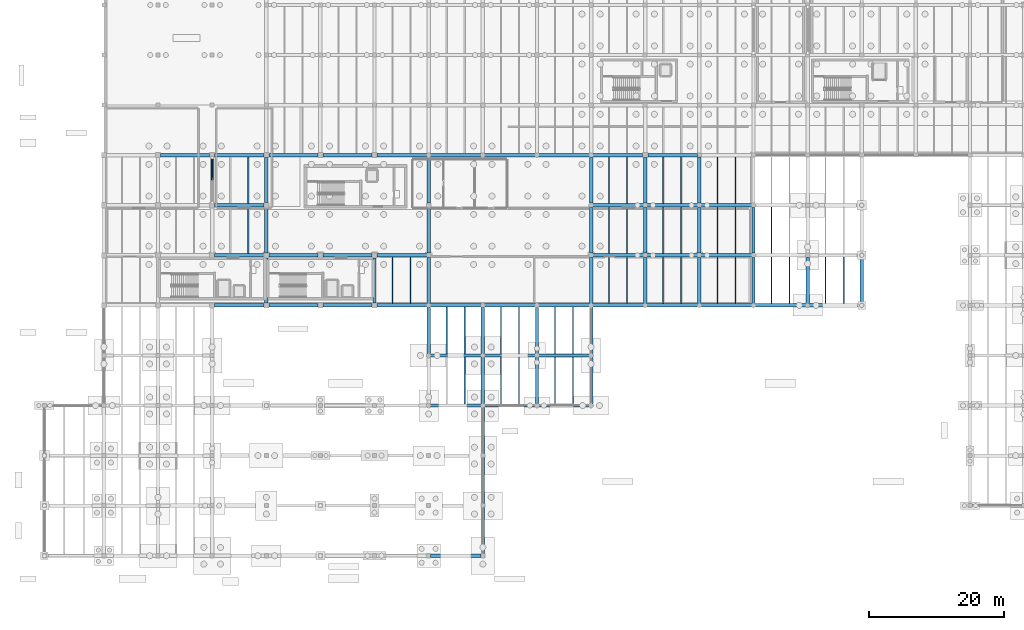
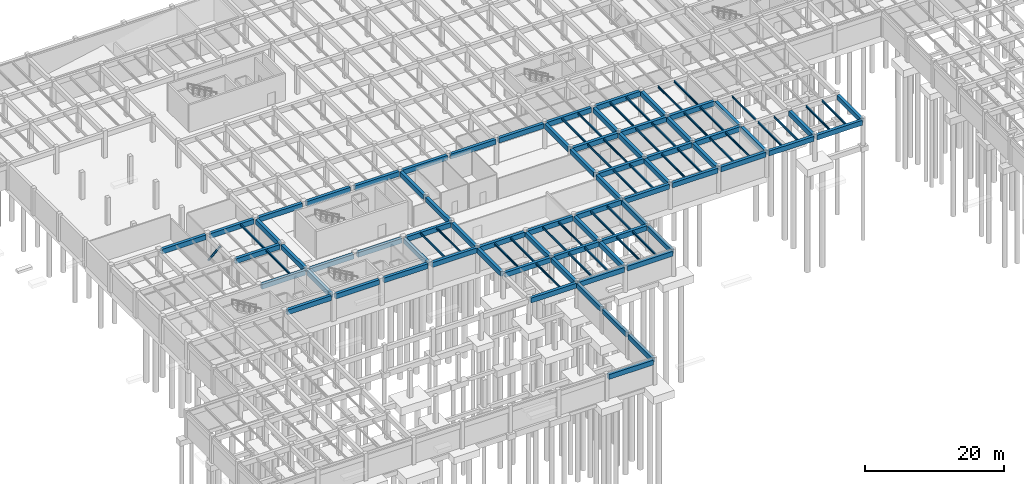
# One storey, part 10 of 40: 108 beams, 1 member.
"""IFC4 building model written with IfcOpenShell, lengths in metres."""

from ifc_helpers import new_model, si_unit, direction, frame, origin, origin_2d, place, context, subcontext, project, spatial, rectangle, hollow_circle, i_section, extrude, material, material_profile, profile_set, type_object, element, save


model = new_model("IFC4")

# Units and contexts
model_context = context("Model", 3, precision=1e-05, world=origin(), true_north=direction((0.0, 1.0)))
body_context = subcontext(model_context, "Body", "Model", "MODEL_VIEW")
ifc_project = project(units=[si_unit("LENGTHUNIT", "METRE"), si_unit("AREAUNIT", "SQUARE_METRE"), si_unit("VOLUMEUNIT", "CUBIC_METRE"), si_unit("PLANEANGLEUNIT", "RADIAN"), si_unit("MASSUNIT", "GRAM", prefix="KILO")], contexts=[model_context])

# Site, building, storey
site_placement = place(None, origin())
site = spatial("IfcSite", under=ifc_project, at=site_placement, CompositionType="ELEMENT")
building_placement = place(site_placement, origin())
building = spatial("IfcBuilding", under=site, at=building_placement, Name="Valkorina Park Police Headquarters", CompositionType="ELEMENT")
storey_placement = place(building_placement, frame((0.0, 0.0, -4.800048828125)))
storey = spatial("IfcBuildingStorey", under=building, at=storey_placement, Name="B01", CompositionType="ELEMENT", Elevation=-4.800048828125)

# Beams
ifc_material_1 = material(Name="Concrete C40/50", Category="concrete")
ifc_material_profile_1 = material_profile(ifc_material_1, rectangle(XDim=0.5, YDim=0.85009765625, at=origin_2d()), Name="RC BEAM 500x850")
ifc_profile_set_1 = profile_set([ifc_material_profile_1], Name="Concrete C40/50")
beam_type_1 = type_object("IfcBeamType", Name="BM-RC-500x850-EXT", PredefinedType="SPANDREL", material=ifc_profile_set_1)
beam_1_placement = place(storey_placement, frame((57.10009765625, 0.0, 4.025146484375), z_axis=(1.0, 0.0, 0.0), x_axis=(0.0, 1.0, 0.0)))
element("IfcBeam", 1, at=beam_1_placement, inside=storey, type_object=beam_type_1, Name="B01 Framing Beam 0008", PredefinedType="SPANDREL", context=body_context, shape_type="SweptSolid", body=[
    extrude(rectangle(XDim=0.5, YDim=0.85009765625, at=origin_2d()), origin(), (0.0, 0.0, 1.0), 7.39990234375),
])
for number, where, z_axis, x_axis, name in (
    (2, (65.044921875, 22.199951171875, 4.025146484375), (1.0, 0.0, 0.0), (0.0, 1.0, 0.0), "B01 Framing Beam 0029"),
    (3, (73.044921875, 22.199951171875, 4.025146484375), (1.0, 0.0, 0.0), (0.0, 1.0, 0.0), "B01 Framing Beam 0030"),
):
    element("IfcBeam", number, at=place(storey_placement, frame(where, z_axis=z_axis, x_axis=x_axis)), inside=storey, type_object=beam_type_1, Name=name, PredefinedType="SPANDREL", context=body_context, shape_type="SweptSolid", body=[
        extrude(rectangle(XDim=0.5, YDim=0.85009765625, at=origin_2d()), origin(), (0.0, 0.0, 1.0), 7.51025390625),
    ])
for number, where, z_axis, x_axis, name in (
    (4, (25.175048828125, 37.0, 4.114990234375), (1.0, 0.0, 0.0), (0.0, 1.0, 0.0), "B01 Framing Beam 0044"),
    (5, (33.175048828125, 37.0, 4.114990234375), (1.0, 0.0, 0.0), (0.0, 1.0, 0.0), "B01 Framing Beam 0045"),
    (6, (41.175048828125, 37.0, 4.114990234375), (1.0, 0.0, 0.0), (0.0, 1.0, 0.0), "B01 Framing Beam 0046"),
):
    element("IfcBeam", number, at=place(storey_placement, frame(where, z_axis=z_axis, x_axis=x_axis)), inside=storey, type_object=beam_type_1, Name=name, PredefinedType="SPANDREL", context=body_context, shape_type="SweptSolid", body=[
        extrude(rectangle(XDim=0.5, YDim=0.85009765625, at=origin_2d()), origin(), (0.0, 0.0, 1.0), 7.25),
    ])
beam_2_placement = place(storey_placement, frame((49.175048828125, 37.0, 4.025146484375), z_axis=(1.0, 0.0, 0.0), x_axis=(0.0, 1.0, 0.0)))
element("IfcBeam", 7, at=beam_2_placement, inside=storey, type_object=beam_type_1, Name="B01 Framing Beam 0047", PredefinedType="SPANDREL", context=body_context, shape_type="SweptSolid", body=[
    extrude(rectangle(XDim=0.5, YDim=0.85009765625, at=origin_2d()), origin(), (0.0, 0.0, 1.0), 7.380126953125),
])
for number, where, z_axis, x_axis, name in (
    (8, (81.044921875, 37.0, 4.025146484375), (1.0, 0.0, 0.0), (0.0, 1.0, 0.0), "B01 Framing Beam 0051"),
    (9, (89.044921875, 37.0, 4.025146484375), (1.0, 0.0, 0.0), (0.0, 1.0, 0.0), "B01 Framing Beam 0052"),
    (10, (97.044921875, 37.0, 4.025146484375), (1.0, 0.0, 0.0), (0.0, 1.0, 0.0), "B01 Framing Beam 0053"),
    (11, (105.044921875, 37.0, 4.025146484375), (1.0, 0.0, 0.0), (0.0, 1.0, 0.0), "B01 Framing Beam 0054"),
    (12, (113.044921875, 37.0, 4.025146484375), (1.0, 0.0, 0.0), (0.0, 1.0, 0.0), "B01 Framing Beam 0055"),
):
    element("IfcBeam", number, at=place(storey_placement, frame(where, z_axis=z_axis, x_axis=x_axis)), inside=storey, type_object=beam_type_1, Name=name, PredefinedType="SPANDREL", context=body_context, shape_type="SweptSolid", body=[
        extrude(rectangle(XDim=0.5, YDim=0.85009765625, at=origin_2d()), origin(), (0.0, 0.0, 1.0), 7.51025390625),
    ])
for number, where, z_axis, x_axis, name in (
    (13, (17.175048828125, 59.199951171875, 4.114990234375), (1.0, 0.0, 0.0), (0.0, 1.0, 0.0), "B01 Framing Beam 0085"),
    (14, (25.175048828125, 59.199951171875, 4.074951171875), (1.0, 0.0, 0.0), (0.0, 1.0, 0.0), "B01 Framing Beam 0086"),
):
    element("IfcBeam", number, at=place(storey_placement, frame(where, z_axis=z_axis, x_axis=x_axis)), inside=storey, type_object=beam_type_1, Name=name, PredefinedType="SPANDREL", context=body_context, shape_type="SweptSolid", body=[
        extrude(rectangle(XDim=0.5, YDim=0.85009765625, at=origin_2d()), origin(), (0.0, 0.0, 1.0), 7.25),
    ])
beam_3_placement = place(storey_placement, frame((56.800048828125, 29.916259765625, 4.025146484375), z_axis=(0.0, 1.0, 0.0), x_axis=(-1.0, 0.0, 0.0)))
element("IfcBeam", 15, at=beam_3_placement, inside=storey, type_object=beam_type_1, Name="B01 Framing Beam 0358", PredefinedType="SPANDREL", context=body_context, shape_type="SweptSolid", body=[
    extrude(rectangle(XDim=0.5, YDim=0.85009765625, at=origin_2d()), origin(), (0.0, 0.0, 1.0), 6.767578125),
])
for number, where, z_axis, x_axis, name in (
    (16, (64.800048828125, 0.300048828125, 4.025146484375), (0.0, 1.0, 0.0), (-1.0, 0.0, 0.0), "B01 Framing Beam 0385"),
    (17, (64.800048828125, 7.699951171875, 4.025146484375), (0.0, 1.0, 0.0), (-1.0, 0.0, 0.0), "B01 Framing Beam 0386"),
):
    element("IfcBeam", number, at=place(storey_placement, frame(where, z_axis=z_axis, x_axis=x_axis)), inside=storey, type_object=beam_type_1, Name=name, PredefinedType="SPANDREL", context=body_context, shape_type="SweptSolid", body=[
        extrude(rectangle(XDim=0.5, YDim=0.85009765625, at=origin_2d()), origin(), (0.0, 0.0, 1.0), 6.800048828125),
    ])
beam_4_placement = place(storey_placement, frame((64.800048828125, 15.10009765625, 4.025146484375), z_axis=(0.0, 1.0, 0.0), x_axis=(-1.0, 0.0, 0.0)))
element("IfcBeam", 18, at=beam_4_placement, inside=storey, type_object=beam_type_1, Name="B01 Framing Beam 0387", PredefinedType="SPANDREL", context=body_context, shape_type="SweptSolid", body=[
    extrude(rectangle(XDim=0.5, YDim=0.85009765625, at=origin_2d()), origin(), (0.0, 0.0, 1.0), 6.78369140625),
])
for number, where, z_axis, x_axis, name in (
    (19, (80.800048828125, 22.51611328125, 4.025146484375), (0.0, 1.0, 0.0), (-1.0, 0.0, 0.0), "B01 Framing Beam 0442"),
    (20, (80.800048828125, 29.916259765625, 4.025146484375), (0.0, 1.0, 0.0), (-1.0, 0.0, 0.0), "B01 Framing Beam 0443"),
    (21, (120.800048828125, 37.316162109375, 4.025146484375), (0.0, 1.0, 0.0), (-1.0, 0.0, 0.0), "B01 Framing Beam 0581"),
):
    element("IfcBeam", number, at=place(storey_placement, frame(where, z_axis=z_axis, x_axis=x_axis)), inside=storey, type_object=beam_type_1, Name=name, PredefinedType="SPANDREL", context=body_context, shape_type="SweptSolid", body=[
        extrude(rectangle(XDim=0.5, YDim=0.85009765625, at=origin_2d()), origin(), (0.0, 0.0, 1.0), 6.767578125),
    ])
ifc_material_profile_2 = material_profile(ifc_material_1, rectangle(XDim=0.5, YDim=0.85009765625, at=origin_2d()), Name="RC BEAM 500x850")
ifc_profile_set_2 = profile_set([ifc_material_profile_2], Name="Concrete C40/50")
beam_type_2 = type_object("IfcBeamType", Name="BM-RC-500x850-INT", PredefinedType="BEAM", material=ifc_profile_set_2)
for number, where, z_axis, x_axis, name in (
    (22, (57.044921875, 22.199951171875, 4.025146484375), (1.0, 0.0, 0.0), (0.0, 1.0, 0.0), "B01 Framing Beam 0028"),
    (23, (57.044921875, 29.60009765625, 4.025146484375), (1.0, 0.0, 0.0), (0.0, 1.0, 0.0), "B01 Framing Beam 0036"),
    (24, (65.044921875, 29.60009765625, 4.025146484375), (1.0, 0.0, 0.0), (0.0, 1.0, 0.0), "B01 Framing Beam 0037"),
    (25, (73.044921875, 29.60009765625, 4.025146484375), (1.0, 0.0, 0.0), (0.0, 1.0, 0.0), "B01 Framing Beam 0038"),
    (26, (57.044921875, 37.0, 4.025146484375), (1.0, 0.0, 0.0), (0.0, 1.0, 0.0), "B01 Framing Beam 0048"),
    (27, (65.044921875, 37.0, 4.025146484375), (1.0, 0.0, 0.0), (0.0, 1.0, 0.0), "B01 Framing Beam 0049"),
    (28, (73.044921875, 37.0, 4.025146484375), (1.0, 0.0, 0.0), (0.0, 1.0, 0.0), "B01 Framing Beam 0050"),
):
    element("IfcBeam", number, at=place(storey_placement, frame(where, z_axis=z_axis, x_axis=x_axis)), inside=storey, type_object=beam_type_2, Name=name, PredefinedType="BEAM", context=body_context, shape_type="SweptSolid", body=[
        extrude(rectangle(XDim=0.5, YDim=0.85009765625, at=origin_2d()), origin(), (0.0, 0.0, 1.0), 7.51025390625),
    ])
for number, where, z_axis, x_axis, name in (
    (29, (25.175048828125, 44.39990234375, 4.114990234375), (1.0, 0.0, 0.0), (0.0, 1.0, 0.0), "B01 Framing Beam 0061"),
    (30, (33.175048828125, 44.39990234375, 4.114990234375), (1.0, 0.0, 0.0), (0.0, 1.0, 0.0), "B01 Framing Beam 0062"),
    (31, (41.175048828125, 44.39990234375, 4.114990234375), (1.0, 0.0, 0.0), (0.0, 1.0, 0.0), "B01 Framing Beam 0063"),
):
    element("IfcBeam", number, at=place(storey_placement, frame(where, z_axis=z_axis, x_axis=x_axis)), inside=storey, type_object=beam_type_2, Name=name, PredefinedType="BEAM", context=body_context, shape_type="SweptSolid", body=[
        extrude(rectangle(XDim=0.5, YDim=0.85009765625, at=origin_2d()), origin(), (0.0, 0.0, 1.0), 7.25),
    ])
beam_5_placement = place(storey_placement, frame((49.175048828125, 44.39990234375, 4.025146484375), z_axis=(1.0, 0.0, 0.0), x_axis=(0.0, 1.0, 0.0)))
element("IfcBeam", 32, at=beam_5_placement, inside=storey, type_object=beam_type_2, Name="B01 Framing Beam 0064", PredefinedType="BEAM", context=body_context, shape_type="SweptSolid", body=[
    extrude(rectangle(XDim=0.5, YDim=0.85009765625, at=origin_2d()), origin(), (0.0, 0.0, 1.0), 7.380126953125),
])
for number, where, z_axis, x_axis, name in (
    (33, (81.044921875, 44.39990234375, 4.025146484375), (1.0, 0.0, 0.0), (0.0, 1.0, 0.0), "B01 Framing Beam 0065"),
    (34, (89.044921875, 44.39990234375, 4.025146484375), (1.0, 0.0, 0.0), (0.0, 1.0, 0.0), "B01 Framing Beam 0066"),
    (35, (97.044921875, 44.39990234375, 4.025146484375), (1.0, 0.0, 0.0), (0.0, 1.0, 0.0), "B01 Framing Beam 0067"),
):
    element("IfcBeam", number, at=place(storey_placement, frame(where, z_axis=z_axis, x_axis=x_axis)), inside=storey, type_object=beam_type_2, Name=name, PredefinedType="BEAM", context=body_context, shape_type="SweptSolid", body=[
        extrude(rectangle(XDim=0.5, YDim=0.85009765625, at=origin_2d()), origin(), (0.0, 0.0, 1.0), 7.51025390625),
    ])
beam_6_placement = place(storey_placement, frame((25.175048828125, 51.800048828125, 4.114990234375), z_axis=(1.0, 0.0, 0.0), x_axis=(0.0, 1.0, 0.0)))
element("IfcBeam", 36, at=beam_6_placement, inside=storey, type_object=beam_type_2, Name="B01 Framing Beam 0075", PredefinedType="BEAM", context=body_context, shape_type="SweptSolid", body=[
    extrude(rectangle(XDim=0.5, YDim=0.85009765625, at=origin_2d()), origin(), (0.0, 0.0, 1.0), 7.25),
])
for number, where, z_axis, x_axis, name in (
    (37, (81.044921875, 51.800048828125, 4.025146484375), (1.0, 0.0, 0.0), (0.0, 1.0, 0.0), "B01 Framing Beam 0076"),
    (38, (89.044921875, 51.800048828125, 4.025146484375), (1.0, 0.0, 0.0), (0.0, 1.0, 0.0), "B01 Framing Beam 0077"),
    (39, (97.044921875, 51.800048828125, 4.025146484375), (1.0, 0.0, 0.0), (0.0, 1.0, 0.0), "B01 Framing Beam 0078"),
):
    element("IfcBeam", number, at=place(storey_placement, frame(where, z_axis=z_axis, x_axis=x_axis)), inside=storey, type_object=beam_type_2, Name=name, PredefinedType="BEAM", context=body_context, shape_type="SweptSolid", body=[
        extrude(rectangle(XDim=0.5, YDim=0.85009765625, at=origin_2d()), origin(), (0.0, 0.0, 1.0), 7.51025390625),
    ])
for number, where, z_axis, x_axis, name in (
    (40, (33.175048828125, 59.199951171875, 4.074951171875), (1.0, 0.0, 0.0), (0.0, 1.0, 0.0), "B01 Framing Beam 0087"),
    (41, (41.175048828125, 59.199951171875, 4.074951171875), (1.0, 0.0, 0.0), (0.0, 1.0, 0.0), "B01 Framing Beam 0088"),
):
    element("IfcBeam", number, at=place(storey_placement, frame(where, z_axis=z_axis, x_axis=x_axis)), inside=storey, type_object=beam_type_2, Name=name, PredefinedType="BEAM", context=body_context, shape_type="SweptSolid", body=[
        extrude(rectangle(XDim=0.5, YDim=0.85009765625, at=origin_2d()), origin(), (0.0, 0.0, 1.0), 7.25),
    ])
beam_7_placement = place(storey_placement, frame((49.175048828125, 59.199951171875, 4.025146484375), z_axis=(1.0, 0.0, 0.0), x_axis=(0.0, 1.0, 0.0)))
element("IfcBeam", 42, at=beam_7_placement, inside=storey, type_object=beam_type_2, Name="B01 Framing Beam 0089", PredefinedType="BEAM", context=body_context, shape_type="SweptSolid", body=[
    extrude(rectangle(XDim=0.5, YDim=0.85009765625, at=origin_2d()), origin(), (0.0, 0.0, 1.0), 7.380126953125),
])
for number, where, z_axis, x_axis, name in (
    (43, (57.044921875, 59.199951171875, 4.025146484375), (1.0, 0.0, 0.0), (0.0, 1.0, 0.0), "B01 Framing Beam 0090"),
    (44, (65.044921875, 59.199951171875, 4.025146484375), (1.0, 0.0, 0.0), (0.0, 1.0, 0.0), "B01 Framing Beam 0091"),
    (45, (73.044921875, 59.199951171875, 4.025146484375), (1.0, 0.0, 0.0), (0.0, 1.0, 0.0), "B01 Framing Beam 0092"),
):
    element("IfcBeam", number, at=place(storey_placement, frame(where, z_axis=z_axis, x_axis=x_axis)), inside=storey, type_object=beam_type_2, Name=name, PredefinedType="BEAM", context=body_context, shape_type="SweptSolid", body=[
        extrude(rectangle(XDim=0.5, YDim=0.85009765625, at=origin_2d()), origin(), (0.0, 0.0, 1.0), 7.51025390625),
    ])
beam_8_placement = place(storey_placement, frame((81.044921875, 59.199951171875, 4.025146484375), z_axis=(1.0, 0.0, 0.0), x_axis=(0.0, 1.0, 0.0)))
element("IfcBeam", 46, at=beam_8_placement, inside=storey, type_object=beam_type_2, Name="B01 Framing Beam 0093", PredefinedType="BEAM", context=body_context, shape_type="SweptSolid", body=[
    extrude(rectangle(XDim=0.5, YDim=0.85009765625, at=origin_2d()), origin(), (0.0, 0.0, 1.0), 7.380126953125),
])
beam_9_placement = place(storey_placement, frame((89.175048828125, 59.199951171875, 4.074951171875), z_axis=(1.0, 0.0, 0.0), x_axis=(0.0, 1.0, 0.0)))
element("IfcBeam", 47, at=beam_9_placement, inside=storey, type_object=beam_type_2, Name="B01 Framing Beam 0094", PredefinedType="BEAM", context=body_context, shape_type="SweptSolid", body=[
    extrude(rectangle(XDim=0.5, YDim=0.85009765625, at=origin_2d()), origin(), (0.0, 0.0, 1.0), 7.324951171875),
])
beam_10_placement = place(storey_placement, frame((32.800048828125, 37.375, 4.114990234375), z_axis=(0.0, 1.0, 0.0), x_axis=(-1.0, 0.0, 0.0)))
element("IfcBeam", 48, at=beam_10_placement, inside=storey, type_object=beam_type_2, Name="B01 Framing Beam 0311", PredefinedType="BEAM", context=body_context, shape_type="SweptSolid", body=[
    extrude(rectangle(XDim=0.5, YDim=0.85009765625, at=origin_2d()), origin(), (0.0, 0.0, 1.0), 6.64990234375),
])
beam_11_placement = place(storey_placement, frame((32.800048828125, 44.77490234375, 4.114990234375), z_axis=(0.0, 1.0, 0.0), x_axis=(-1.0, 0.0, 0.0)))
element("IfcBeam", 49, at=beam_11_placement, inside=storey, type_object=beam_type_2, Name="B01 Framing Beam 0312", PredefinedType="BEAM", context=body_context, shape_type="SweptSolid", body=[
    extrude(rectangle(XDim=0.5, YDim=0.85009765625, at=origin_2d()), origin(), (0.0, 0.0, 1.0), 6.650146484375),
])
for number, where, z_axis, x_axis, name in (
    (50, (32.800048828125, 52.175048828125, 4.074951171875), (0.0, 1.0, 0.0), (-1.0, 0.0, 0.0), "B01 Framing Beam 0313"),
    (51, (48.800048828125, 37.375, 4.114990234375), (0.0, 1.0, 0.0), (-1.0, 0.0, 0.0), "B01 Framing Beam 0340"),
):
    element("IfcBeam", number, at=place(storey_placement, frame(where, z_axis=z_axis, x_axis=x_axis)), inside=storey, type_object=beam_type_2, Name=name, PredefinedType="BEAM", context=body_context, shape_type="SweptSolid", body=[
        extrude(rectangle(XDim=0.5, YDim=0.85009765625, at=origin_2d()), origin(), (0.0, 0.0, 1.0), 6.64990234375),
    ])
for number, where, z_axis, x_axis, name in (
    (52, (56.800048828125, 37.316162109375, 4.025146484375), (0.0, 1.0, 0.0), (-1.0, 0.0, 0.0), "B01 Framing Beam 0361"),
    (53, (56.800048828125, 44.71630859375, 4.025146484375), (0.0, 1.0, 0.0), (-1.0, 0.0, 0.0), "B01 Framing Beam 0362"),
    (54, (56.800048828125, 52.1162109375, 4.025146484375), (0.0, 1.0, 0.0), (-1.0, 0.0, 0.0), "B01 Framing Beam 0363"),
    (55, (64.800048828125, 22.51611328125, 4.025146484375), (0.0, 1.0, 0.0), (-1.0, 0.0, 0.0), "B01 Framing Beam 0388"),
    (56, (64.800048828125, 29.916259765625, 4.025146484375), (0.0, 1.0, 0.0), (-1.0, 0.0, 0.0), "B01 Framing Beam 0391"),
    (57, (72.800048828125, 22.51611328125, 4.025146484375), (0.0, 1.0, 0.0), (-1.0, 0.0, 0.0), "B01 Framing Beam 0415"),
    (58, (72.800048828125, 29.916259765625, 4.025146484375), (0.0, 1.0, 0.0), (-1.0, 0.0, 0.0), "B01 Framing Beam 0418"),
    (59, (80.800048828125, 37.316162109375, 4.025146484375), (0.0, 1.0, 0.0), (-1.0, 0.0, 0.0), "B01 Framing Beam 0444"),
    (60, (80.800048828125, 44.71630859375, 4.025146484375), (0.0, 1.0, 0.0), (-1.0, 0.0, 0.0), "B01 Framing Beam 0447"),
    (61, (80.800048828125, 52.1162109375, 4.025146484375), (0.0, 1.0, 0.0), (-1.0, 0.0, 0.0), "B01 Framing Beam 0450"),
    (62, (88.800048828125, 37.316162109375, 4.025146484375), (0.0, 1.0, 0.0), (-1.0, 0.0, 0.0), "B01 Framing Beam 0472"),
    (63, (88.800048828125, 44.71630859375, 4.025146484375), (0.0, 1.0, 0.0), (-1.0, 0.0, 0.0), "B01 Framing Beam 0475"),
):
    element("IfcBeam", number, at=place(storey_placement, frame(where, z_axis=z_axis, x_axis=x_axis)), inside=storey, type_object=beam_type_2, Name=name, PredefinedType="BEAM", context=body_context, shape_type="SweptSolid", body=[
        extrude(rectangle(XDim=0.5, YDim=0.85009765625, at=origin_2d()), origin(), (0.0, 0.0, 1.0), 6.767578125),
    ])
beam_12_placement = place(storey_placement, frame((88.800048828125, 52.1162109375, 4.074951171875), z_axis=(0.0, 1.0, 0.0), x_axis=(-1.0, 0.0, 0.0)))
element("IfcBeam", 64, at=beam_12_placement, inside=storey, type_object=beam_type_2, Name="B01 Framing Beam 0478", PredefinedType="BEAM", context=body_context, shape_type="SweptSolid", body=[
    extrude(rectangle(XDim=0.5, YDim=0.85009765625, at=origin_2d()), origin(), (0.0, 0.0, 1.0), 6.708740234375),
])
for number, where, z_axis, x_axis, name in (
    (65, (96.800048828125, 37.316162109375, 4.025146484375), (0.0, 1.0, 0.0), (-1.0, 0.0, 0.0), "B01 Framing Beam 0499"),
    (66, (96.800048828125, 44.71630859375, 4.025146484375), (0.0, 1.0, 0.0), (-1.0, 0.0, 0.0), "B01 Framing Beam 0502"),
):
    element("IfcBeam", number, at=place(storey_placement, frame(where, z_axis=z_axis, x_axis=x_axis)), inside=storey, type_object=beam_type_2, Name=name, PredefinedType="BEAM", context=body_context, shape_type="SweptSolid", body=[
        extrude(rectangle(XDim=0.5, YDim=0.85009765625, at=origin_2d()), origin(), (0.0, 0.0, 1.0), 6.767578125),
    ])
beam_13_placement = place(storey_placement, frame((96.800048828125, 52.1162109375, 4.074951171875), z_axis=(0.0, 1.0, 0.0), x_axis=(-1.0, 0.0, 0.0)))
element("IfcBeam", 67, at=beam_13_placement, inside=storey, type_object=beam_type_2, Name="B01 Framing Beam 0505", PredefinedType="BEAM", context=body_context, shape_type="SweptSolid", body=[
    extrude(rectangle(XDim=0.5, YDim=0.85009765625, at=origin_2d()), origin(), (0.0, 0.0, 1.0), 6.78369140625),
])
for number, where, z_axis, x_axis, name in (
    (68, (104.800048828125, 37.316162109375, 4.025146484375), (0.0, 1.0, 0.0), (-1.0, 0.0, 0.0), "B01 Framing Beam 0529"),
    (69, (104.800048828125, 44.71630859375, 4.025146484375), (0.0, 1.0, 0.0), (-1.0, 0.0, 0.0), "B01 Framing Beam 0532"),
    (70, (112.800048828125, 37.316162109375, 4.025146484375), (0.0, 1.0, 0.0), (-1.0, 0.0, 0.0), "B01 Framing Beam 0559"),
):
    element("IfcBeam", number, at=place(storey_placement, frame(where, z_axis=z_axis, x_axis=x_axis)), inside=storey, type_object=beam_type_2, Name=name, PredefinedType="BEAM", context=body_context, shape_type="SweptSolid", body=[
        extrude(rectangle(XDim=0.5, YDim=0.85009765625, at=origin_2d()), origin(), (0.0, 0.0, 1.0), 6.767578125),
    ])
ifc_material_2 = material(Name="Steel S355", Category="steel")
ifc_material_profile_3 = material_profile(ifc_material_2, i_section(OverallWidth=0.169921875, OverallDepth=0.360107421875, WebThickness=0.008056640625, FlangeThickness=0.0126953125, FilletRadius=0.01806640625, at=origin_2d()), Name="IPE 360")
ifc_profile_set_3 = profile_set([ifc_material_profile_3], Name="Steel S355")
beam_type_3 = type_object("IfcBeamType", Name="BM-S355-IPE360-JST", PredefinedType="JOIST", material=ifc_profile_set_3)
beam_14_placement = place(storey_placement, frame((30.13330078125, 44.64990234375, 4.360107421875), z_axis=(0.0, 1.0, 0.0), x_axis=(-1.0, 0.0, 0.0)))
element("IfcBeam", 71, at=beam_14_placement, inside=storey, type_object=beam_type_3, Name="B01 Framing Beam 0300", PredefinedType="JOIST", context=body_context, shape_type="SweptSolid", body=[
    extrude(i_section(OverallWidth=0.169921875, OverallDepth=0.360107421875, WebThickness=0.008056640625, FlangeThickness=0.0126953125, FilletRadius=0.01806640625, at=origin_2d()), origin(), (0.0, 0.0, 1.0), 6.900146484375),
])
for number, where, z_axis, x_axis, name in (
    (72, (30.13330078125, 52.050048828125, 4.360107421875), (0.0, 1.0, 0.0), (-1.0, 0.0, 0.0), "B01 Framing Beam 0303"),
    (73, (51.466796875, 37.25, 4.360107421875), (0.0, 1.0, 0.0), (-1.0, 0.0, 0.0), "B01 Framing Beam 0341"),
    (74, (54.13330078125, 37.25, 4.360107421875), (0.0, 1.0, 0.0), (-1.0, 0.0, 0.0), "B01 Framing Beam 0342"),
):
    element("IfcBeam", number, at=place(storey_placement, frame(where, z_axis=z_axis, x_axis=x_axis)), inside=storey, type_object=beam_type_3, Name=name, PredefinedType="JOIST", context=body_context, shape_type="SweptSolid", body=[
        extrude(i_section(OverallWidth=0.169921875, OverallDepth=0.360107421875, WebThickness=0.008056640625, FlangeThickness=0.0126953125, FilletRadius=0.01806640625, at=origin_2d()), origin(), (0.0, 0.0, 1.0), 6.89990234375),
    ])
beam_15_placement = place(storey_placement, frame((62.13330078125, 22.449951171875, 4.27001953125), z_axis=(0.0, 1.0, 0.0), x_axis=(-1.0, 0.0, 0.0)))
element("IfcBeam", 75, at=beam_15_placement, inside=storey, type_object=beam_type_3, Name="B01 Framing Beam 0357", PredefinedType="JOIST", context=body_context, shape_type="SweptSolid", body=[
    extrude(i_section(OverallWidth=0.169921875, OverallDepth=0.360107421875, WebThickness=0.008056640625, FlangeThickness=0.0126953125, FilletRadius=0.01806640625, at=origin_2d()), origin(), (0.0, 0.0, 1.0), 6.900146484375),
])
for number, where, z_axis, x_axis, name in (
    (76, (59.466796875, 29.85009765625, 4.27001953125), (0.0, 1.0, 0.0), (-1.0, 0.0, 0.0), "B01 Framing Beam 0359"),
    (77, (62.13330078125, 29.85009765625, 4.27001953125), (0.0, 1.0, 0.0), (-1.0, 0.0, 0.0), "B01 Framing Beam 0360"),
):
    element("IfcBeam", number, at=place(storey_placement, frame(where, z_axis=z_axis, x_axis=x_axis)), inside=storey, type_object=beam_type_3, Name=name, PredefinedType="JOIST", context=body_context, shape_type="SweptSolid", body=[
        extrude(i_section(OverallWidth=0.169921875, OverallDepth=0.360107421875, WebThickness=0.008056640625, FlangeThickness=0.0126953125, FilletRadius=0.01806640625, at=origin_2d()), origin(), (0.0, 0.0, 1.0), 6.89990234375),
    ])
for number, where, z_axis, x_axis, name in (
    (78, (67.466796875, 22.449951171875, 4.27001953125), (0.0, 1.0, 0.0), (-1.0, 0.0, 0.0), "B01 Framing Beam 0389"),
    (79, (70.13330078125, 22.449951171875, 4.27001953125), (0.0, 1.0, 0.0), (-1.0, 0.0, 0.0), "B01 Framing Beam 0390"),
):
    element("IfcBeam", number, at=place(storey_placement, frame(where, z_axis=z_axis, x_axis=x_axis)), inside=storey, type_object=beam_type_3, Name=name, PredefinedType="JOIST", context=body_context, shape_type="SweptSolid", body=[
        extrude(i_section(OverallWidth=0.169921875, OverallDepth=0.360107421875, WebThickness=0.008056640625, FlangeThickness=0.0126953125, FilletRadius=0.01806640625, at=origin_2d()), origin(), (0.0, 0.0, 1.0), 6.900146484375),
    ])
for number, where, z_axis, x_axis, name in (
    (80, (67.466796875, 29.85009765625, 4.27001953125), (0.0, 1.0, 0.0), (-1.0, 0.0, 0.0), "B01 Framing Beam 0392"),
    (81, (70.13330078125, 29.85009765625, 4.27001953125), (0.0, 1.0, 0.0), (-1.0, 0.0, 0.0), "B01 Framing Beam 0393"),
):
    element("IfcBeam", number, at=place(storey_placement, frame(where, z_axis=z_axis, x_axis=x_axis)), inside=storey, type_object=beam_type_3, Name=name, PredefinedType="JOIST", context=body_context, shape_type="SweptSolid", body=[
        extrude(i_section(OverallWidth=0.169921875, OverallDepth=0.360107421875, WebThickness=0.008056640625, FlangeThickness=0.0126953125, FilletRadius=0.01806640625, at=origin_2d()), origin(), (0.0, 0.0, 1.0), 6.89990234375),
    ])
for number, where, z_axis, x_axis, name in (
    (82, (75.466796875, 22.449951171875, 4.27001953125), (0.0, 1.0, 0.0), (-1.0, 0.0, 0.0), "B01 Framing Beam 0416"),
    (83, (78.13330078125, 22.449951171875, 4.27001953125), (0.0, 1.0, 0.0), (-1.0, 0.0, 0.0), "B01 Framing Beam 0417"),
):
    element("IfcBeam", number, at=place(storey_placement, frame(where, z_axis=z_axis, x_axis=x_axis)), inside=storey, type_object=beam_type_3, Name=name, PredefinedType="JOIST", context=body_context, shape_type="SweptSolid", body=[
        extrude(i_section(OverallWidth=0.169921875, OverallDepth=0.360107421875, WebThickness=0.008056640625, FlangeThickness=0.0126953125, FilletRadius=0.01806640625, at=origin_2d()), origin(), (0.0, 0.0, 1.0), 6.900146484375),
    ])
for number, where, z_axis, x_axis, name in (
    (84, (75.466796875, 29.85009765625, 4.27001953125), (0.0, 1.0, 0.0), (-1.0, 0.0, 0.0), "B01 Framing Beam 0419"),
    (85, (78.13330078125, 29.85009765625, 4.27001953125), (0.0, 1.0, 0.0), (-1.0, 0.0, 0.0), "B01 Framing Beam 0420"),
    (86, (83.466796875, 37.25, 4.27001953125), (0.0, 1.0, 0.0), (-1.0, 0.0, 0.0), "B01 Framing Beam 0445"),
    (87, (86.13330078125, 37.25, 4.27001953125), (0.0, 1.0, 0.0), (-1.0, 0.0, 0.0), "B01 Framing Beam 0446"),
):
    element("IfcBeam", number, at=place(storey_placement, frame(where, z_axis=z_axis, x_axis=x_axis)), inside=storey, type_object=beam_type_3, Name=name, PredefinedType="JOIST", context=body_context, shape_type="SweptSolid", body=[
        extrude(i_section(OverallWidth=0.169921875, OverallDepth=0.360107421875, WebThickness=0.008056640625, FlangeThickness=0.0126953125, FilletRadius=0.01806640625, at=origin_2d()), origin(), (0.0, 0.0, 1.0), 6.89990234375),
    ])
for number, where, z_axis, x_axis, name in (
    (88, (83.466796875, 44.64990234375, 4.27001953125), (0.0, 1.0, 0.0), (-1.0, 0.0, 0.0), "B01 Framing Beam 0448"),
    (89, (86.13330078125, 44.64990234375, 4.27001953125), (0.0, 1.0, 0.0), (-1.0, 0.0, 0.0), "B01 Framing Beam 0449"),
):
    element("IfcBeam", number, at=place(storey_placement, frame(where, z_axis=z_axis, x_axis=x_axis)), inside=storey, type_object=beam_type_3, Name=name, PredefinedType="JOIST", context=body_context, shape_type="SweptSolid", body=[
        extrude(i_section(OverallWidth=0.169921875, OverallDepth=0.360107421875, WebThickness=0.008056640625, FlangeThickness=0.0126953125, FilletRadius=0.01806640625, at=origin_2d()), origin(), (0.0, 0.0, 1.0), 6.900146484375),
    ])
for number, where, z_axis, x_axis, name in (
    (90, (83.466796875, 52.050048828125, 4.320068359375), (0.0, 1.0, 0.0), (-1.0, 0.0, 0.0), "B01 Framing Beam 0451"),
    (91, (86.13330078125, 52.050048828125, 4.320068359375), (0.0, 1.0, 0.0), (-1.0, 0.0, 0.0), "B01 Framing Beam 0452"),
    (92, (91.466796875, 37.25, 4.27001953125), (0.0, 1.0, 0.0), (-1.0, 0.0, 0.0), "B01 Framing Beam 0473"),
    (93, (94.13330078125, 37.25, 4.27001953125), (0.0, 1.0, 0.0), (-1.0, 0.0, 0.0), "B01 Framing Beam 0474"),
):
    element("IfcBeam", number, at=place(storey_placement, frame(where, z_axis=z_axis, x_axis=x_axis)), inside=storey, type_object=beam_type_3, Name=name, PredefinedType="JOIST", context=body_context, shape_type="SweptSolid", body=[
        extrude(i_section(OverallWidth=0.169921875, OverallDepth=0.360107421875, WebThickness=0.008056640625, FlangeThickness=0.0126953125, FilletRadius=0.01806640625, at=origin_2d()), origin(), (0.0, 0.0, 1.0), 6.89990234375),
    ])
for number, where, z_axis, x_axis, name in (
    (94, (91.466796875, 44.64990234375, 4.27001953125), (0.0, 1.0, 0.0), (-1.0, 0.0, 0.0), "B01 Framing Beam 0476"),
    (95, (94.13330078125, 44.64990234375, 4.27001953125), (0.0, 1.0, 0.0), (-1.0, 0.0, 0.0), "B01 Framing Beam 0477"),
):
    element("IfcBeam", number, at=place(storey_placement, frame(where, z_axis=z_axis, x_axis=x_axis)), inside=storey, type_object=beam_type_3, Name=name, PredefinedType="JOIST", context=body_context, shape_type="SweptSolid", body=[
        extrude(i_section(OverallWidth=0.169921875, OverallDepth=0.360107421875, WebThickness=0.008056640625, FlangeThickness=0.0126953125, FilletRadius=0.01806640625, at=origin_2d()), origin(), (0.0, 0.0, 1.0), 6.900146484375),
    ])
for number, where, z_axis, x_axis, name in (
    (96, (91.466796875, 52.050048828125, 4.320068359375), (0.0, 1.0, 0.0), (-1.0, 0.0, 0.0), "B01 Framing Beam 0479"),
    (97, (94.13330078125, 52.050048828125, 4.320068359375), (0.0, 1.0, 0.0), (-1.0, 0.0, 0.0), "B01 Framing Beam 0480"),
    (98, (99.466796875, 37.25, 4.27001953125), (0.0, 1.0, 0.0), (-1.0, 0.0, 0.0), "B01 Framing Beam 0500"),
    (99, (102.13330078125, 37.25, 4.27001953125), (0.0, 1.0, 0.0), (-1.0, 0.0, 0.0), "B01 Framing Beam 0501"),
):
    element("IfcBeam", number, at=place(storey_placement, frame(where, z_axis=z_axis, x_axis=x_axis)), inside=storey, type_object=beam_type_3, Name=name, PredefinedType="JOIST", context=body_context, shape_type="SweptSolid", body=[
        extrude(i_section(OverallWidth=0.169921875, OverallDepth=0.360107421875, WebThickness=0.008056640625, FlangeThickness=0.0126953125, FilletRadius=0.01806640625, at=origin_2d()), origin(), (0.0, 0.0, 1.0), 6.89990234375),
    ])
for number, where, z_axis, x_axis, name in (
    (100, (99.466796875, 44.64990234375, 4.27001953125), (0.0, 1.0, 0.0), (-1.0, 0.0, 0.0), "B01 Framing Beam 0503"),
    (101, (102.13330078125, 44.64990234375, 4.27001953125), (0.0, 1.0, 0.0), (-1.0, 0.0, 0.0), "B01 Framing Beam 0504"),
):
    element("IfcBeam", number, at=place(storey_placement, frame(where, z_axis=z_axis, x_axis=x_axis)), inside=storey, type_object=beam_type_3, Name=name, PredefinedType="JOIST", context=body_context, shape_type="SweptSolid", body=[
        extrude(i_section(OverallWidth=0.169921875, OverallDepth=0.360107421875, WebThickness=0.008056640625, FlangeThickness=0.0126953125, FilletRadius=0.01806640625, at=origin_2d()), origin(), (0.0, 0.0, 1.0), 6.900146484375),
    ])
for number, where, z_axis, x_axis, name in (
    (102, (99.466796875, 52.050048828125, 4.320068359375), (0.0, 1.0, 0.0), (-1.0, 0.0, 0.0), "B01 Framing Beam 0506"),
    (103, (102.13330078125, 52.050048828125, 4.320068359375), (0.0, 1.0, 0.0), (-1.0, 0.0, 0.0), "B01 Framing Beam 0507"),
    (104, (107.466796875, 37.25, 4.27001953125), (0.0, 1.0, 0.0), (-1.0, 0.0, 0.0), "B01 Framing Beam 0530"),
    (105, (110.13330078125, 37.25, 4.27001953125), (0.0, 1.0, 0.0), (-1.0, 0.0, 0.0), "B01 Framing Beam 0531"),
):
    element("IfcBeam", number, at=place(storey_placement, frame(where, z_axis=z_axis, x_axis=x_axis)), inside=storey, type_object=beam_type_3, Name=name, PredefinedType="JOIST", context=body_context, shape_type="SweptSolid", body=[
        extrude(i_section(OverallWidth=0.169921875, OverallDepth=0.360107421875, WebThickness=0.008056640625, FlangeThickness=0.0126953125, FilletRadius=0.01806640625, at=origin_2d()), origin(), (0.0, 0.0, 1.0), 6.89990234375),
    ])
beam_16_placement = place(storey_placement, frame((107.466796875, 44.64990234375, 4.27001953125), z_axis=(0.0, 1.0, 0.0), x_axis=(-1.0, 0.0, 0.0)))
element("IfcBeam", 106, at=beam_16_placement, inside=storey, type_object=beam_type_3, Name="B01 Framing Beam 0533", PredefinedType="JOIST", context=body_context, shape_type="SweptSolid", body=[
    extrude(i_section(OverallWidth=0.169921875, OverallDepth=0.360107421875, WebThickness=0.008056640625, FlangeThickness=0.0126953125, FilletRadius=0.01806640625, at=origin_2d()), origin(), (0.0, 0.0, 1.0), 6.900146484375),
])
for number, where, z_axis, x_axis, name in (
    (107, (115.466796875, 37.25, 4.27001953125), (0.0, 1.0, 0.0), (-1.0, 0.0, 0.0), "B01 Framing Beam 0560"),
    (108, (118.13330078125, 37.25, 4.27001953125), (0.0, 1.0, 0.0), (-1.0, 0.0, 0.0), "B01 Framing Beam 0561"),
):
    element("IfcBeam", number, at=place(storey_placement, frame(where, z_axis=z_axis, x_axis=x_axis)), inside=storey, type_object=beam_type_3, Name=name, PredefinedType="JOIST", context=body_context, shape_type="SweptSolid", body=[
        extrude(i_section(OverallWidth=0.169921875, OverallDepth=0.360107421875, WebThickness=0.008056640625, FlangeThickness=0.0126953125, FilletRadius=0.01806640625, at=origin_2d()), origin(), (0.0, 0.0, 1.0), 6.89990234375),
    ])

# Member
ifc_material_profile_4 = material_profile(ifc_material_2, hollow_circle(Radius=0.177734375, WallThickness=0.01611328125, at=origin_2d()), Name="CHS 355.6x16")
ifc_profile_set_4 = profile_set([ifc_material_profile_4], Name="Steel S355")
member_type = type_object("IfcMemberType", Name="MB-S355-CHS355-BRC", PredefinedType="BRACE", material=ifc_profile_set_4)
member_placement = place(storey_placement, frame((24.800048828125, 58.824951171875, 0.10009765625), z_axis=(0.0, -0.601179081982, 0.799114329359), x_axis=(1.0, 0.0, 0.0)))
element("IfcMember", 109, at=member_placement, inside=storey, type_object=member_type, Name="B01 Concentric Chevron Brace 002", PredefinedType="BRACE", context=body_context, shape_type="SweptSolid", body=[
    extrude(hollow_circle(Radius=0.177734375, WallThickness=0.01611328125, at=origin_2d()), origin(), (0.0, 0.0, 1.0), 5.330810546875),
])

save(model, "model.ifc")
